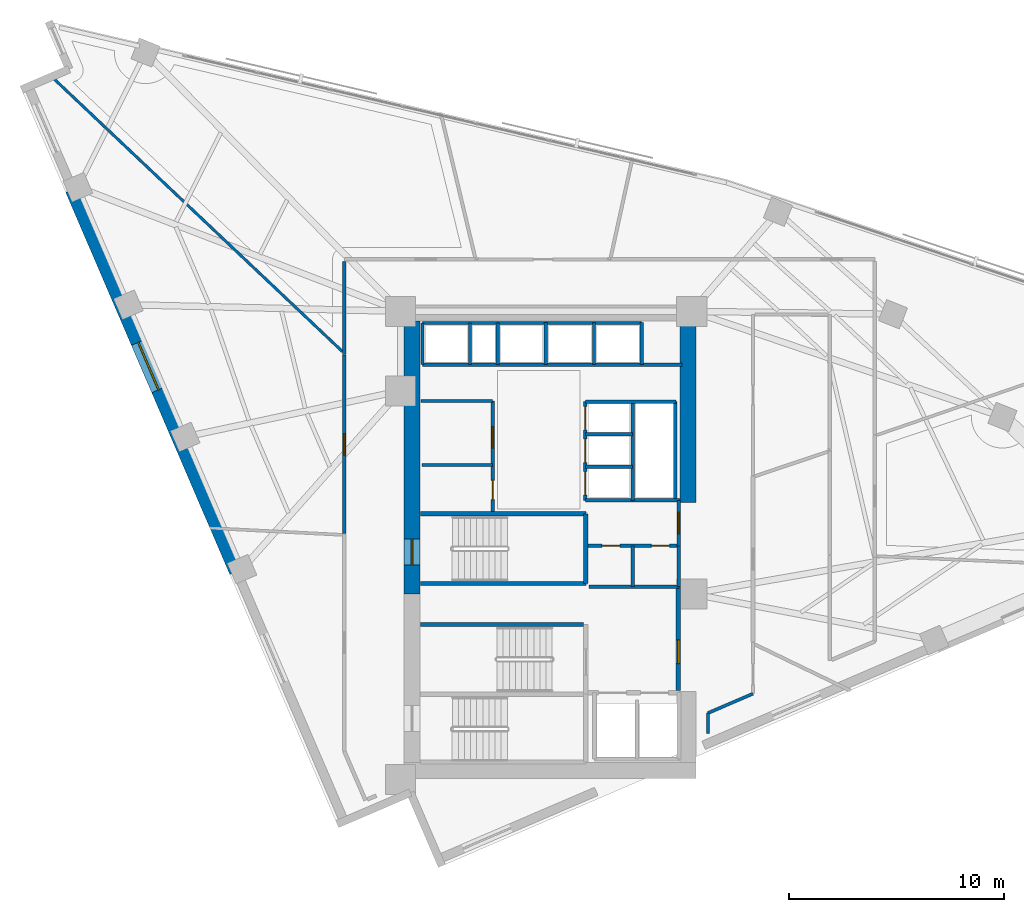
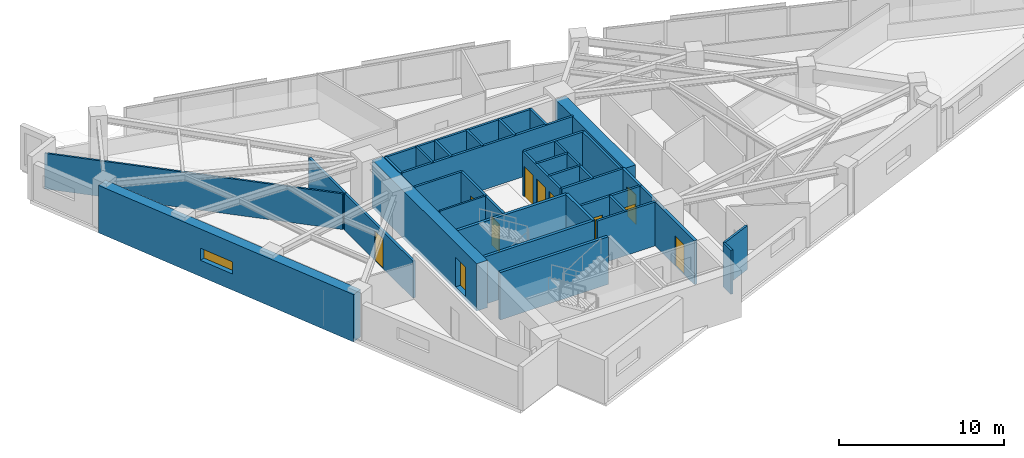
# One storey, part 9 of 15: 37 walls, 11 doors, 1 window, 12 openings.
"""IFC4 building model written with IfcOpenShell, lengths in metres."""

import ifcopenshell
import ifcopenshell.guid

model = None  # the IFC model being written
_history = None  # IfcOwnerHistory: only IFC2X3 demands one
_inside = {}  # id of a spatial element -> (the spatial element, [elements in it])
_under = {}  # id of a project, library or spatial element -> (it, [spatial elements below it])
_declared = {}  # id of a project -> (the project, [libraries it declares])
_typed = {}  # id of a type object -> (the type object, [elements of that type])
_made_of = {}  # id of a material, layer set ... -> (it, [elements and type objects made of it])


def new_model(schema):
    """Start an empty IFC model of exactly this schema.

    Asked for "IFC4X3", IfcOpenShell would pick the latest addendum, in which some entities
    have other attributes; the version numbers below select the first issue.
    IFC2X3 requires an IfcOwnerHistory on every rooted entity: one is made here for all.
    """
    global model, _history
    if schema == "IFC4X3":
        model = ifcopenshell.file(schema_version=(4, 3, 0, 0))
    else:
        model = ifcopenshell.file(schema=schema)
    _inside.clear()
    _under.clear()
    _declared.clear()
    _typed.clear()
    _made_of.clear()
    _history = None
    if model.schema == "IFC2X3":
        org = make("IfcOrganization", Name="unknown")
        user = make(
            "IfcPersonAndOrganization",
            ThePerson=make("IfcPerson", FamilyName="unknown"),
            TheOrganization=org,
        )
        app = make(
            "IfcApplication",
            ApplicationDeveloper=org,
            Version="unknown",
            ApplicationFullName="unknown",
            ApplicationIdentifier="unknown",
        )
        _history = make(
            "IfcOwnerHistory",
            OwningUser=user,
            OwningApplication=app,
            ChangeAction="ADDED",
            CreationDate=0,
        )
    return model


def make(cls, **values):
    """One entity of the class cls with the attributes given. An attribute that is None is left unset."""
    return model.create_entity(
        cls, **{name: value for name, value in values.items() if value is not None}
    )


def rooted(cls, **values):
    """An entity with a GlobalId (a new one), such as an element, a storey or a relation."""
    return make(cls, GlobalId=ifcopenshell.guid.new(), OwnerHistory=_history, **values)


def si_unit(unit_type, name, prefix=None):
    """IfcSIUnit, for example si_unit("LENGTHUNIT", "METRE", prefix="MILLI")."""
    return make("IfcSIUnit", UnitType=unit_type, Prefix=prefix, Name=name)


def assignment(units):
    """IfcUnitAssignment: the units of a project."""
    return None if units is None else make("IfcUnitAssignment", Units=units)


def point(xyz):
    """IfcCartesianPoint."""
    return None if xyz is None else make("IfcCartesianPoint", Coordinates=xyz)


def direction(xyz):
    """IfcDirection."""
    return None if xyz is None else make("IfcDirection", DirectionRatios=xyz)


def frame(location, z_axis=None, x_axis=None):
    """IfcAxis2Placement3D, a coordinate frame: its origin and axes. An axis left out is left unset."""
    return make(
        "IfcAxis2Placement3D",
        Location=point(location),
        Axis=direction(z_axis),
        RefDirection=direction(x_axis),
    )


def frame_2d(location, x_axis=None):
    """IfcAxis2Placement2D, a coordinate frame in the plane: its origin and x axis."""
    return make(
        "IfcAxis2Placement2D", Location=point(location), RefDirection=direction(x_axis)
    )


def origin():
    """The frame at (0, 0, 0) with its axes left unset."""
    return frame((0.0, 0.0, 0.0))


def place(relative_to, where):
    """IfcLocalPlacement: puts the frame where relative to a parent placement (None: the world)."""
    return make(
        "IfcLocalPlacement", PlacementRelTo=relative_to, RelativePlacement=where
    )


def context(
    kind, dimensions, precision=None, world=None, true_north=None, identifier=None
):
    """IfcGeometricRepresentationContext, for example the 3D "Model" context."""
    return make(
        "IfcGeometricRepresentationContext",
        ContextIdentifier=identifier,
        ContextType=kind,
        CoordinateSpaceDimension=dimensions,
        Precision=precision,
        WorldCoordinateSystem=world,
        TrueNorth=true_north,
    )


def subcontext(parent, identifier, kind, view, scale=None):
    """IfcGeometricRepresentationSubContext, for example "Body" below "Model"."""
    return make(
        "IfcGeometricRepresentationSubContext",
        ContextIdentifier=identifier,
        ContextType=kind,
        ParentContext=parent,
        TargetScale=scale,
        TargetView=view,
    )


def project(units=None, contexts=None):
    """IfcProject with its units and contexts."""
    return rooted(
        "IfcProject",
        Name="project",
        RepresentationContexts=contexts,
        UnitsInContext=assignment(units),
    )


def spatial(cls, under=None, at=None, **own):
    """A site, building, storey or space (cls), placed at a placement, below another one or the project."""
    s = rooted(cls, ObjectPlacement=at, **own)
    if under is not None:
        _under.setdefault(under.id(), (under, []))[1].append(s)
    return s


def profile(cls, at=None, kind="AREA", **sizes):
    """A parametric profile (cls). Its sizes go by their IFC names, for example OverallWidth=200.0."""
    return make(cls, ProfileType=kind, Position=at, **sizes)


def rectangle(**sizes):
    """IfcRectangleProfileDef."""
    return profile("IfcRectangleProfileDef", **sizes)


def extrude(swept, where, along, depth):
    """IfcExtrudedAreaSolid: the profile swept, set in the frame where, extruded along a direction by depth."""
    return make(
        "IfcExtrudedAreaSolid",
        SweptArea=swept,
        Position=where,
        ExtrudedDirection=direction(along),
        Depth=depth,
    )


def shape(context_of_items, identifier, shape_type, items):
    """IfcShapeRepresentation: the items that make up one representation, for example the "Body"."""
    return make(
        "IfcShapeRepresentation",
        ContextOfItems=context_of_items,
        RepresentationIdentifier=identifier,
        RepresentationType=shape_type,
        Items=items,
    )


def material(Name=None, Category=None):
    """IfcMaterial."""
    return make("IfcMaterial", Name=Name, Category=Category)


def layer(
    of_material, thickness, ventilated=None, Name=None, Category=None, Priority=None
):
    """IfcMaterialLayer: one layer of a wall or slab, of a material (None: an air gap)."""
    return make(
        "IfcMaterialLayer",
        Material=of_material,
        LayerThickness=thickness,
        IsVentilated=ventilated,
        Name=Name,
        Category=Category,
        Priority=Priority,
    )


def layer_set(layers, Name=None):
    """IfcMaterialLayerSet."""
    return make("IfcMaterialLayerSet", MaterialLayers=layers, LayerSetName=Name)


def made_of(thing, what):
    """Note that an element or type object is made of a material, layer set ...; save() writes the relation."""
    if what is not None:
        _made_of.setdefault(what.id(), (what, []))[1].append(thing)
    return thing


def type_object(cls, material=None, **own):
    """A type object (cls), such as IfcWallType, which elements share."""
    return made_of(rooted(cls, **own), material)


def element(
    cls,
    number,
    at=None,
    inside=None,
    cuts=None,
    type_object=None,
    material=None,
    context=None,
    identifier="Body",
    shape_type=None,
    held_by="IfcProductDefinitionShape",
    body=None,
    shapes=None,
    **own,
):
    """One element of the class cls, such as IfcWall. Its Tag is "e" and its number.

    at: its placement. inside: the storey or other place that contains it. cuts: it is an
    opening in that element (IfcRelVoidsElement). A single representation is given by context,
    identifier, shape_type and body (its items); several are given by shapes. held_by: the class
    of the entity that holds the representations. save() writes the other relations.
    """
    e = rooted(cls, Tag="e%d" % number, ObjectPlacement=at, **own)
    if body is not None:
        shapes = [shape(context, identifier, shape_type, body)]
    if shapes is not None:
        e.Representation = make(held_by, Representations=shapes)
    if inside is not None:
        _inside.setdefault(inside.id(), (inside, []))[1].append(e)
    if cuts is not None:
        rooted(
            "IfcRelVoidsElement", RelatingBuildingElement=cuts, RelatedOpeningElement=e
        )
    if type_object is not None:
        _typed.setdefault(type_object.id(), (type_object, []))[1].append(e)
    return made_of(e, material)


def fill(opening, filler):
    """IfcRelFillsElement: the door or window that sits in an opening."""
    return rooted(
        "IfcRelFillsElement",
        RelatingOpeningElement=opening,
        RelatedBuildingElement=filler,
    )


def aggregate(whole, parts):
    """IfcRelAggregates: a whole, such as a stair, and the parts it consists of."""
    return rooted("IfcRelAggregates", RelatingObject=whole, RelatedObjects=parts)


def save(model, path):
    """Write the relations noted so far, then the file.

    IfcRelAggregates (storeys below a building ...), IfcRelContainedInSpatialStructure (elements
    in a storey), IfcRelDefinesByType, IfcRelAssociatesMaterial and IfcRelDeclares: one each for
    every whole, place, type object, material and project.
    """
    for whole, parts in _under.values():
        aggregate(whole, parts)
    for where, things in _inside.values():
        rooted(
            "IfcRelContainedInSpatialStructure",
            RelatedElements=things,
            RelatingStructure=where,
        )
    for kind, things in _typed.values():
        rooted("IfcRelDefinesByType", RelatedObjects=things, RelatingType=kind)
    for what, things in _made_of.values():
        rooted("IfcRelAssociatesMaterial", RelatedObjects=things, RelatingMaterial=what)
    for by, libraries in _declared.values():
        rooted("IfcRelDeclares", RelatingContext=by, RelatedDefinitions=libraries)
    model.write(path)


model = new_model("IFC4")

# Units and contexts
model_context = context("Model", 3, precision=1e-05, world=origin(), true_north=direction((0.0, 1.0)))
body_context = subcontext(model_context, "Body", "Model", "MODEL_VIEW")
ifc_project = project(units=[si_unit("LENGTHUNIT", "METRE"), si_unit("AREAUNIT", "SQUARE_METRE"), si_unit("VOLUMEUNIT", "CUBIC_METRE"), si_unit("PLANEANGLEUNIT", "RADIAN"), si_unit("MASSUNIT", "GRAM", prefix="KILO")], contexts=[model_context])

# Site, building, storey
site_placement = place(None, origin())
site = spatial("IfcSite", under=ifc_project, at=site_placement, CompositionType="ELEMENT")
building_placement = place(site_placement, origin())
building = spatial("IfcBuilding", under=site, at=building_placement, Name="Narakoshi Arena Tower", CompositionType="ELEMENT")
storey_placement = place(building_placement, frame((0.0, 0.0, 186.139892578125)))
storey = spatial("IfcBuildingStorey", under=building, at=storey_placement, Name="L50", CompositionType="ELEMENT", Elevation=186.139892578125)

# Wall, opening, door
ifc_material_1 = material(Name="Concrete C50/60", Category="concrete")
ifc_layer_1 = layer(ifc_material_1, 0.75)
ifc_layer_set_1 = layer_set([ifc_layer_1], Name="Concrete C50/60")
wall_type_1 = type_object("IfcWallType", Name="WL-CORE-750", PredefinedType="SHEAR", material=ifc_layer_set_1)
wall_1_placement = place(storey_placement, frame((72.52490234375, 43.35009765625, -0.260009765625), z_axis=(0.0, 0.0, 1.0), x_axis=(0.0, 1.0, 0.0)))
wall_1 = element("IfcWall", 1, at=wall_1_placement, inside=storey, type_object=wall_type_1, Name="L50 Main Core Shear Wall CW-MN-W", PredefinedType="SHEAR", context=body_context, shape_type="SweptSolid", body=[
    extrude(rectangle(XDim=12.699951171875, YDim=0.75, at=frame_2d((6.35009765625, 0.0))), origin(), (0.0, 0.0, 1.0), 3.52001953125),
])
opening_1_placement = place(wall_1_placement, frame((1.35009765625, 0.0, 0.260009765625)))
opening_1 = element("IfcOpeningElement", 2, at=opening_1_placement, cuts=wall_1, Name="Opening D-03", PredefinedType="OPENING", context=body_context, shape_type="SweptSolid", body=[
    extrude(rectangle(XDim=1.199951171875, YDim=2.199951171875, at=frame_2d((0.60009765625, 1.10009765625))), frame((0.0, 0.385009765625, 0.0), z_axis=(0.0, -1.0, 0.0), x_axis=(1.0, 0.0, 0.0)), (0.0, 0.0, 1.0), 0.77001953125),
])
ifc_material_2 = material(Name="Painted galvanized steel", Category="steel")
door_type_1 = type_object("IfcDoorType", Name="DR-STR-1200", OperationType="NOTDEFINED", PredefinedType="USERDEFINED", material=ifc_material_2)
door_1_placement = place(opening_1_placement, frame((1.199951171875, 0.0, 0.0), z_axis=(0.0, 0.0, 1.0), x_axis=(-1.0, 0.0, 0.0)))
door_1 = element("IfcDoor", 3, at=door_1_placement, inside=storey, type_object=door_type_1, Name="DR-L50-006", ObjectType="EXITDOOR", OperationType="SINGLE_SWING_LEFT", OverallHeight=2.199951171875, OverallWidth=1.199951171875, PredefinedType="USERDEFINED", context=body_context, shape_type="SweptSolid", body=[
    extrude(rectangle(XDim=1.199951171875, YDim=2.199951171875, at=frame_2d((0.60009765625, 1.10009765625))), frame((0.0, 0.02490234375, 0.0), z_axis=(0.0, -1.0, 0.0), x_axis=(1.0, 0.0, 0.0)), (0.0, 0.0, 1.0), 0.050048828125),
])
fill(opening_1, door_1)

# Wall
wall_2_placement = place(storey_placement, frame((85.375, 47.60009765625, -0.260009765625), z_axis=(0.0, 0.0, 1.0), x_axis=(0.0, 1.0, 0.0)))
element("IfcWall", 4, at=wall_2_placement, inside=storey, type_object=wall_type_1, Name="L50 Main Core Shear Wall CW-MN-E", PredefinedType="SHEAR", context=body_context, shape_type="SweptSolid", body=[
    extrude(rectangle(XDim=8.449951171875, YDim=0.75, at=frame_2d((4.22509765625, 0.0))), origin(), (0.0, 0.0, 1.0), 3.52001953125),
])

# Wall, opening, door
ifc_material_3 = material(Name="Gypsum plasterboard fire-rated partition")
ifc_layer_2 = layer(ifc_material_3, 0.1650390625)
ifc_layer_set_2 = layer_set([ifc_layer_2], Name="Gypsum plasterboard fire-rated partition")
wall_type_2 = type_object("IfcWallType", Name="WL-CORR-165", PredefinedType="PARTITIONING", material=ifc_layer_set_2)
wall_3_placement = place(storey_placement, frame((84.949951171875, 45.580078125, 0.0), z_axis=(0.0, 0.0, 1.0), x_axis=(0.0, 1.0, 0.0)))
wall_3 = element("IfcWall", 5, at=wall_3_placement, inside=storey, type_object=wall_type_2, Name="L50 Core Wall CPAS-E", PredefinedType="PARTITIONING", context=body_context, shape_type="SweptSolid", body=[
    extrude(rectangle(XDim=2.119873046875, YDim=0.1650390625, at=frame_2d((1.06005859375, 0.0))), origin(), (0.0, 0.0, 1.0), 3.260009765625),
])
opening_2_placement = place(wall_3_placement, frame((0.56005859375, 0.0, 0.0)))
opening_2 = element("IfcOpeningElement", 6, at=opening_2_placement, cuts=wall_3, Name="Opening D-06", PredefinedType="OPENING", context=body_context, shape_type="SweptSolid", body=[
    extrude(rectangle(XDim=1.0, YDim=2.199951171875, at=frame_2d((0.5, 1.10009765625))), frame((0.0, 0.092529296875, 0.0), z_axis=(0.0, -1.0, 0.0), x_axis=(1.0, 0.0, 0.0)), (0.0, 0.0, 1.0), 0.18505859375),
])
ifc_material_4 = material(Name="Stained oak solid-core timber", Category="wood")
door_type_2 = type_object("IfcDoorType", Name="DR-OFF-1000", OperationType="NOTDEFINED", PredefinedType="DOOR", material=ifc_material_4)
door_2_placement = place(opening_2_placement, frame((1.0, 0.0, 0.0), z_axis=(0.0, 0.0, 1.0), x_axis=(-1.0, 0.0, 0.0)))
door_2 = element("IfcDoor", 7, at=door_2_placement, inside=storey, type_object=door_type_2, Name="DR-L50-007", OperationType="SINGLE_SWING_LEFT", OverallHeight=2.199951171875, OverallWidth=1.0, PredefinedType="DOOR", context=body_context, shape_type="SweptSolid", body=[
    extrude(rectangle(XDim=1.0, YDim=2.199951171875, at=frame_2d((0.5, 1.10009765625))), frame((0.0, 0.02490234375, 0.0), z_axis=(0.0, -1.0, 0.0), x_axis=(1.0, 0.0, 0.0)), (0.0, 0.0, 1.0), 0.050048828125),
])
fill(opening_2, door_2)

# Wall
wall_4_placement = place(storey_placement, frame((69.376220703125, 58.824462890625, 0.0), z_axis=(0.0, 0.0, 1.0), x_axis=(0.0, -1.0, 0.0)))
element("IfcWall", 8, at=wall_4_placement, inside=storey, type_object=wall_type_2, Name="L50 Corridor Partition 07-2", PredefinedType="PARTITIONING", context=body_context, shape_type="SweptSolid", body=[
    extrude(rectangle(XDim=4.32958984375, YDim=0.1650390625, at=frame_2d((2.164794921875, 0.0))), origin(), (0.0, 0.0, 1.0), 2.7451171875),
])

# Wall, opening, door
wall_5_placement = place(storey_placement, frame((69.376220703125, 54.4619140625, 0.0), z_axis=(0.0, 0.0, 1.0), x_axis=(0.0, -1.0, 0.0)))
wall_5 = element("IfcWall", 9, at=wall_5_placement, inside=storey, type_object=wall_type_2, Name="L50 Corridor Partition 09-1", PredefinedType="PARTITIONING", context=body_context, shape_type="SweptSolid", body=[
    extrude(rectangle(XDim=8.3125, YDim=0.1650390625, at=frame_2d((4.15625, 0.0))), origin(), (0.0, 0.0, 1.0), 2.7451171875),
])
opening_3_placement = place(wall_5_placement, frame((3.656005859375, 0.0, 0.0)))
opening_3 = element("IfcOpeningElement", 10, at=opening_3_placement, cuts=wall_5, Name="Opening D-06", PredefinedType="OPENING", context=body_context, shape_type="SweptSolid", body=[
    extrude(rectangle(XDim=1.0, YDim=2.199951171875, at=frame_2d((0.5, 1.10009765625))), frame((0.0, 0.092529296875, 0.0), z_axis=(0.0, -1.0, 0.0), x_axis=(1.0, 0.0, 0.0)), (0.0, 0.0, 1.0), 0.18505859375),
])
door_3_placement = place(opening_3_placement, frame((1.0, 0.0, 0.0), z_axis=(0.0, 0.0, 1.0), x_axis=(-1.0, 0.0, 0.0)))
door_3 = element("IfcDoor", 11, at=door_3_placement, inside=storey, type_object=door_type_2, Name="DR-L50-023", OperationType="SINGLE_SWING_RIGHT", OverallHeight=2.199951171875, OverallWidth=1.0, PredefinedType="DOOR", context=body_context, shape_type="SweptSolid", body=[
    extrude(rectangle(XDim=1.0, YDim=2.199951171875, at=frame_2d((0.5, 1.10009765625))), frame((0.0, 0.02490234375, 0.0), z_axis=(0.0, -1.0, 0.0), x_axis=(1.0, 0.0, 0.0)), (0.0, 0.0, 1.0), 0.050048828125),
])
fill(opening_3, door_3)

# Wall, opening, window
ifc_material_5 = material(Name="Concrete C60/75", Category="concrete")
ifc_layer_3 = layer(ifc_material_5, 0.699951171875)
ifc_layer_set_3 = layer_set([ifc_layer_3], Name="Concrete C60/75")
wall_type_3 = type_object("IfcWallType", Name="WL-LEG-700", PredefinedType="SHEAR", material=ifc_layer_set_3)
wall_6_placement = place(storey_placement, frame((56.7275390625, 62.171875, -0.260009765625), z_axis=(0.0, 0.0, 1.0), x_axis=(0.394736752992, -0.918794261974, 0.0)))
wall_6 = element("IfcWall", 12, at=wall_6_placement, inside=storey, type_object=wall_type_3, Name="L50 Architectural Concrete Structural Wall LEGB-2", PredefinedType="SHEAR", context=body_context, shape_type="SweptSolid", body=[
    extrude(rectangle(XDim=19.3525390625, YDim=0.699951171875, at=frame_2d((9.67626953125, 0.0))), origin(), (0.0, 0.0, 1.0), 3.52001953125),
])
opening_4_placement = place(wall_6_placement, frame((7.747314453125, 0.0, 1.199951171875)))
opening_4 = element("IfcOpeningElement", 13, at=opening_4_placement, cuts=wall_6, Name="Opening WN-01", PredefinedType="OPENING", context=body_context, shape_type="SweptSolid", body=[
    extrude(rectangle(XDim=2.39990234375, YDim=0.89990234375, at=frame_2d((1.199951171875, 0.449951171875))), frame((0.0, 0.35986328125, 0.0), z_axis=(0.0, -1.0, 0.0), x_axis=(1.0, 0.0, 0.0)), (0.0, 0.0, 1.0), 0.719970703125),
])
ifc_material_6 = material(Name="Bronze-tinted low-E laminated glass", Category="glass")
window_type = type_object("IfcWindowType", Name="WIN-SLT-24x09", PartitioningType="SINGLE_PANEL", PredefinedType="WINDOW", material=ifc_material_6)
window_placement = place(opening_4_placement, origin())
window = element("IfcWindow", 14, at=window_placement, inside=storey, type_object=window_type, Name="L50 LEGB2 Horizontal Slot Window 1", OverallHeight=0.89990234375, OverallWidth=2.39990234375, PartitioningType="SINGLE_PANEL", PredefinedType="WINDOW", context=body_context, shape_type="SweptSolid", body=[
    extrude(rectangle(XDim=2.39990234375, YDim=0.89990234375, at=frame_2d((1.199951171875, 0.449951171875))), frame((0.0, 0.030029296875, 0.0), z_axis=(0.0, -1.0, 0.0), x_axis=(1.0, 0.0, 0.0)), (0.0, 0.0, 1.0), 0.06005859375),
])
fill(opening_4, window)

# Walls
ifc_layer_4 = layer(ifc_material_3, 0.125)
ifc_layer_set_4 = layer_set([ifc_layer_4], Name="Gypsum plasterboard fire-rated partition")
wall_type_4 = type_object("IfcWallType", Name="WL-PART-125", PredefinedType="PARTITIONING", material=ifc_layer_set_4)
wall_7_placement = place(storey_placement, frame((73.0, 49.35009765625, 0.0), z_axis=(0.0, 0.0, 1.0), x_axis=(1.0, 0.0, 0.0)))
element("IfcWall", 15, at=wall_7_placement, inside=storey, type_object=wall_type_4, Name="L50 Core Wall RCL-LR-D1", PredefinedType="PARTITIONING", context=body_context, shape_type="SweptSolid", body=[
    extrude(rectangle(XDim=3.280029296875, YDim=0.125, at=frame_2d((1.64013671875, 0.0))), origin(), (0.0, 0.0, 1.0), 3.260009765625),
])
wall_8_placement = place(storey_placement, frame((69.28173828125, 54.633544921875, 0.0), z_axis=(0.0, 0.0, 1.0), x_axis=(-0.726693785238, 0.686961529125, 0.0)))
element("IfcWall", 16, at=wall_8_placement, inside=storey, type_object=wall_type_4, Name="L50 Inter-Room Partition 07-09", PredefinedType="PARTITIONING", context=body_context, shape_type="SweptSolid", body=[
    extrude(rectangle(XDim=18.6181640625, YDim=0.125, at=frame_2d((9.30908203125, 0.0))), origin(), (0.0, 0.0, 1.0), 2.64501953125),
])
ifc_material_7 = material(Name="Concrete C40/50", Category="concrete")
ifc_layer_5 = layer(ifc_material_7, 0.280029296875)
ifc_layer_set_5 = layer_set([ifc_layer_5], Name="Concrete C40/50")
wall_type_5 = type_object("IfcWallType", Name="WL-RISER-280", PredefinedType="PLUMBINGWALL", material=ifc_layer_set_5)
wall_9_placement = place(storey_placement, frame((84.949951171875, 43.679931640625, 0.0), z_axis=(0.0, 0.0, 1.0), x_axis=(0.0, 1.0, 0.0)))
element("IfcWall", 17, at=wall_9_placement, inside=storey, type_object=wall_type_5, Name="L50 Core Wall RSR-E", PredefinedType="PLUMBINGWALL", context=body_context, shape_type="SweptSolid", body=[
    extrude(rectangle(XDim=1.900146484375, YDim=0.1650390625, at=frame_2d((0.9501953125, 0.0))), origin(), (0.0, 0.0, 1.0), 3.260009765625),
])

# Wall, openings, doors
wall_10_placement = place(storey_placement, frame((80.719970703125, 45.580078125, 0.0), z_axis=(0.0, 0.0, 1.0), x_axis=(1.0, 0.0, 0.0)))
wall_10 = element("IfcWall", 18, at=wall_10_placement, inside=storey, type_object=wall_type_5, Name="L50 Core Wall RSR-N", PredefinedType="PLUMBINGWALL", context=body_context, shape_type="SweptSolid", body=[
    extrude(rectangle(XDim=4.22998046875, YDim=0.159912109375, at=frame_2d((2.114990234375, 0.0))), origin(), (0.0, 0.0, 1.0), 3.260009765625),
])
opening_5_placement = place(wall_10_placement, frame((0.64990234375, 0.0, 0.0)))
opening_5 = element("IfcOpeningElement", 19, at=opening_5_placement, cuts=wall_10, Name="Opening D-10", PredefinedType="OPENING", context=body_context, shape_type="SweptSolid", body=[
    extrude(rectangle(XDim=0.85009765625, YDim=2.050048828125, at=frame_2d((0.425048828125, 1.02490234375))), frame((0.0, 0.08984375, 0.0), z_axis=(0.0, -1.0, 0.0), x_axis=(1.0, 0.0, 0.0)), (0.0, 0.0, 1.0), 0.179931640625),
])
opening_6_placement = place(wall_10_placement, frame((2.949951171875, 0.0, 0.0)))
opening_6 = element("IfcOpeningElement", 20, at=opening_6_placement, cuts=wall_10, Name="Opening D-10", PredefinedType="OPENING", context=body_context, shape_type="SweptSolid", body=[
    extrude(rectangle(XDim=0.85009765625, YDim=2.050048828125, at=frame_2d((0.425048828125, 1.02490234375))), frame((0.0, 0.08984375, 0.0), z_axis=(0.0, -1.0, 0.0), x_axis=(1.0, 0.0, 0.0)), (0.0, 0.0, 1.0), 0.179931640625),
])
door_type_3 = type_object("IfcDoorType", Name="DR-RSR-850", OperationType="NOTDEFINED", PredefinedType="DOOR", material=ifc_material_2)
door_4_placement = place(opening_5_placement, frame((0.85009765625, 0.0, 0.0), z_axis=(0.0, 0.0, 1.0), x_axis=(-1.0, 0.0, 0.0)))
door_4 = element("IfcDoor", 21, at=door_4_placement, inside=storey, type_object=door_type_3, Name="DR-L50-008", OperationType="SINGLE_SWING_LEFT", OverallHeight=2.050048828125, OverallWidth=0.85009765625, PredefinedType="DOOR", context=body_context, shape_type="SweptSolid", body=[
    extrude(rectangle(XDim=0.85009765625, YDim=2.050048828125, at=frame_2d((0.425048828125, 1.02490234375))), frame((0.0, 0.02490234375, 0.0), z_axis=(0.0, -1.0, 0.0), x_axis=(1.0, 0.0, 0.0)), (0.0, 0.0, 1.0), 0.050048828125),
])
fill(opening_5, door_4)
door_5_placement = place(opening_6_placement, frame((0.85009765625, 0.0, 0.0), z_axis=(0.0, 0.0, 1.0), x_axis=(-1.0, 0.0, 0.0)))
door_5 = element("IfcDoor", 22, at=door_5_placement, inside=storey, type_object=door_type_3, Name="DR-L50-009", OperationType="SINGLE_SWING_RIGHT", OverallHeight=2.050048828125, OverallWidth=0.85009765625, PredefinedType="DOOR", context=body_context, shape_type="SweptSolid", body=[
    extrude(rectangle(XDim=0.85009765625, YDim=2.050048828125, at=frame_2d((0.425048828125, 1.02490234375))), frame((0.0, 0.02490234375, 0.0), z_axis=(0.0, -1.0, 0.0), x_axis=(1.0, 0.0, 0.0)), (0.0, 0.0, 1.0), 0.050048828125),
])
fill(opening_6, door_5)

# Walls
wall_11_placement = place(storey_placement, frame((80.760009765625, 43.679931640625, 0.0), z_axis=(0.0, 0.0, 1.0), x_axis=(1.0, 0.0, 0.0)))
element("IfcWall", 23, at=wall_11_placement, inside=storey, type_object=wall_type_5, Name="L50 Core Wall RSR-S", PredefinedType="PLUMBINGWALL", context=body_context, shape_type="SweptSolid", body=[
    extrude(rectangle(XDim=4.18994140625, YDim=0.159912109375, at=frame_2d((2.094970703125, 0.0))), origin(), (0.0, 0.0, 1.0), 3.260009765625),
])
wall_12_placement = place(storey_placement, frame((82.800048828125, 43.679931640625, 0.0), z_axis=(0.0, 0.0, 1.0), x_axis=(0.0, 1.0, 0.0)))
element("IfcWall", 24, at=wall_12_placement, inside=storey, type_object=wall_type_5, Name="L50 Core Wall RSR-M", PredefinedType="PLUMBINGWALL", context=body_context, shape_type="SweptSolid", body=[
    extrude(rectangle(XDim=1.900146484375, YDim=0.159912109375, at=frame_2d((0.9501953125, 0.0))), origin(), (0.0, 0.0, 1.0), 3.260009765625),
])
for number, where, z_axis, x_axis, name in (
    (25, (80.60009765625, 49.260009765625, 0.0), (0.0, 0.0, 1.0), (1.0, 0.0, 0.0), "L50 Core Wall MR-D1"),
    (26, (80.60009765625, 50.780029296875, 0.0), (0.0, 0.0, 1.0), (1.0, 0.0, 0.0), "L50 Core Wall MR-D2"),
):
    element("IfcWall", number, at=place(storey_placement, frame(where, z_axis=z_axis, x_axis=x_axis)), inside=storey, type_object=wall_type_5, Name=name, PredefinedType="PLUMBINGWALL", context=body_context, shape_type="SweptSolid", body=[
        extrude(rectangle(XDim=2.199951171875, YDim=0.14990234375, at=frame_2d((1.10009765625, 0.0))), origin(), (0.0, 0.0, 1.0), 3.260009765625),
    ])
wall_13_placement = place(storey_placement, frame((82.800048828125, 47.699951171875, 0.0), z_axis=(0.0, 0.0, 1.0), x_axis=(0.0, 1.0, 0.0)))
element("IfcWall", 27, at=wall_13_placement, inside=storey, type_object=wall_type_5, Name="L50 Core Wall MR-E", PredefinedType="PLUMBINGWALL", context=body_context, shape_type="SweptSolid", body=[
    extrude(rectangle(XDim=4.60009765625, YDim=0.14990234375, at=frame_2d((2.300048828125, 0.0))), origin(), (0.0, 0.0, 1.0), 3.260009765625),
])
for number, where, z_axis, x_axis, name in (
    (28, (73.02001953125, 54.02001953125, 0.0), (0.0, 0.0, 1.0), (0.0, 1.0, 0.0), "L50 Core Wall OBS-W"),
    (29, (75.219970703125, 54.02001953125, 0.0), (0.0, 0.0, 1.0), (0.0, 1.0, 0.0), "L50 Core Wall OBS-M"),
):
    element("IfcWall", number, at=place(storey_placement, frame(where, z_axis=z_axis, x_axis=x_axis)), inside=storey, type_object=wall_type_5, Name=name, PredefinedType="PLUMBINGWALL", context=body_context, shape_type="SweptSolid", body=[
        extrude(rectangle(XDim=1.93994140625, YDim=0.14990234375, at=frame_2d((0.969970703125, 0.0))), origin(), (0.0, 0.0, 1.0), 3.260009765625),
    ])
for number, where, z_axis, x_axis, name in (
    (30, (78.75, 54.02001953125, 0.0), (0.0, 0.0, 1.0), (0.0, 1.0, 0.0), "L50 Core Wall HR-D1"),
    (31, (81.0, 54.02001953125, 0.0), (0.0, 0.0, 1.0), (0.0, 1.0, 0.0), "L50 Core Wall HR-D2"),
):
    element("IfcWall", number, at=place(storey_placement, frame(where, z_axis=z_axis, x_axis=x_axis)), inside=storey, type_object=wall_type_5, Name=name, PredefinedType="PLUMBINGWALL", context=body_context, shape_type="SweptSolid", body=[
        extrude(rectangle(XDim=1.9599609375, YDim=0.14990234375, at=frame_2d((0.97998046875, 0.0))), origin(), (0.0, 0.0, 1.0), 3.260009765625),
    ])

# Wall, opening, door
ifc_layer_6 = layer(ifc_material_1, 0.35009765625)
ifc_layer_set_6 = layer_set([ifc_layer_6], Name="Concrete C50/60")
wall_type_6 = type_object("IfcWallType", Name="WL-SHAFT-350", PredefinedType="SOLIDWALL", material=ifc_layer_set_6)
wall_14_placement = place(storey_placement, frame((84.919921875, 38.85009765625, 0.0), z_axis=(0.0, 0.0, 1.0), x_axis=(0.0, 1.0, 0.0)))
wall_14 = element("IfcWall", 32, at=wall_14_placement, inside=storey, type_object=wall_type_6, Name="L50 Core Wall FFLOB-E", PredefinedType="SOLIDWALL", context=body_context, shape_type="SweptSolid", body=[
    extrude(rectangle(XDim=4.829833984375, YDim=0.199951171875, at=frame_2d((2.4150390625, 0.0))), origin(), (0.0, 0.0, 1.0), 3.260009765625),
])
opening_7_placement = place(wall_14_placement, frame((1.25, 0.0, 0.0)))
opening_7 = element("IfcOpeningElement", 33, at=opening_7_placement, cuts=wall_14, Name="Opening D-04", PredefinedType="OPENING", context=body_context, shape_type="SweptSolid", body=[
    extrude(rectangle(XDim=1.10009765625, YDim=2.199951171875, at=frame_2d((0.550048828125, 1.10009765625))), frame((0.0, 0.10986328125, 0.0), z_axis=(0.0, -1.0, 0.0), x_axis=(1.0, 0.0, 0.0)), (0.0, 0.0, 1.0), 0.219970703125),
])
door_type_4 = type_object("IfcDoorType", Name="DR-FFL-1100", OperationType="NOTDEFINED", PredefinedType="DOOR", material=ifc_material_2)
door_6_placement = place(opening_7_placement, frame((1.10009765625, 0.0, 0.0), z_axis=(0.0, 0.0, 1.0), x_axis=(-1.0, 0.0, 0.0)))
door_6 = element("IfcDoor", 34, at=door_6_placement, inside=storey, type_object=door_type_4, Name="DR-L50-005", OperationType="SINGLE_SWING_RIGHT", OverallHeight=2.199951171875, OverallWidth=1.10009765625, PredefinedType="DOOR", context=body_context, shape_type="SweptSolid", body=[
    extrude(rectangle(XDim=1.10009765625, YDim=2.199951171875, at=frame_2d((0.550048828125, 1.10009765625))), frame((0.0, 0.02490234375, 0.0), z_axis=(0.0, -1.0, 0.0), x_axis=(1.0, 0.0, 0.0)), (0.0, 0.0, 1.0), 0.050048828125),
])
fill(opening_7, door_6)

# Walls
wall_15_placement = place(storey_placement, frame((72.919921875, 41.919921875, -0.260009765625), z_axis=(0.0, 0.0, 1.0), x_axis=(1.0, 0.0, 0.0)))
element("IfcWall", 35, at=wall_15_placement, inside=storey, type_object=wall_type_6, Name="L50 Core Wall ST2-N", PredefinedType="SOLIDWALL", context=body_context, shape_type="SweptSolid", body=[
    extrude(rectangle(XDim=7.580078125, YDim=0.199951171875, at=frame_2d((3.7900390625, 0.0))), origin(), (0.0, 0.0, 1.0), 3.52001953125),
])
for number, where, z_axis, x_axis, name in (
    (36, (72.919921875, 43.830078125, -0.260009765625), (0.0, 0.0, 1.0), (1.0, 0.0, 0.0), "L50 Core Wall ST3-S"),
    (37, (72.919921875, 47.070068359375, -0.260009765625), (0.0, 0.0, 1.0), (1.0, 0.0, 0.0), "L50 Core Wall ST3-N"),
):
    element("IfcWall", number, at=place(storey_placement, frame(where, z_axis=z_axis, x_axis=x_axis)), inside=storey, type_object=wall_type_6, Name=name, PredefinedType="SOLIDWALL", context=body_context, shape_type="SweptSolid", body=[
        extrude(rectangle(XDim=7.7001953125, YDim=0.199951171875, at=frame_2d((3.85009765625, 0.0))), origin(), (0.0, 0.0, 1.0), 3.52001953125),
    ])
wall_16_placement = place(storey_placement, frame((80.6201171875, 43.830078125, -0.260009765625), z_axis=(0.0, 0.0, 1.0), x_axis=(0.0, 1.0, 0.0)))
element("IfcWall", 38, at=wall_16_placement, inside=storey, type_object=wall_type_6, Name="L50 Core Wall ST3-E", PredefinedType="SOLIDWALL", context=body_context, shape_type="SweptSolid", body=[
    extrude(rectangle(XDim=3.239990234375, YDim=0.199951171875, at=frame_2d((1.6201171875, 0.0))), origin(), (0.0, 0.0, 1.0), 3.52001953125),
])

# Wall, openings, doors
wall_17_placement = place(storey_placement, frame((76.280029296875, 47.179931640625, 0.0), z_axis=(0.0, 0.0, 1.0), x_axis=(0.0, 1.0, 0.0)))
wall_17 = element("IfcWall", 39, at=wall_17_placement, inside=storey, type_object=wall_type_6, Name="L50 Core Wall LR-E", PredefinedType="SOLIDWALL", context=body_context, shape_type="SweptSolid", body=[
    extrude(rectangle(XDim=5.14013671875, YDim=0.159912109375, at=frame_2d((2.570068359375, 0.0))), origin(), (0.0, 0.0, 1.0), 3.260009765625),
])
opening_8_placement = place(wall_17_placement, frame((0.550048828125, 0.0, 0.0)))
opening_8 = element("IfcOpeningElement", 40, at=opening_8_placement, cuts=wall_17, Name="Opening D-08", PredefinedType="OPENING", context=body_context, shape_type="SweptSolid", body=[
    extrude(rectangle(XDim=0.89990234375, YDim=2.10009765625, at=frame_2d((0.449951171875, 1.050048828125))), frame((0.0, 0.08984375, 0.0), z_axis=(0.0, -1.0, 0.0), x_axis=(1.0, 0.0, 0.0)), (0.0, 0.0, 1.0), 0.179931640625),
])
opening_9_placement = place(wall_17_placement, frame((2.949951171875, 0.0, 0.0)))
opening_9 = element("IfcOpeningElement", 41, at=opening_9_placement, cuts=wall_17, Name="Opening D-06", PredefinedType="OPENING", context=body_context, shape_type="SweptSolid", body=[
    extrude(rectangle(XDim=1.0, YDim=2.199951171875, at=frame_2d((0.5, 1.10009765625))), frame((0.0, 0.08984375, 0.0), z_axis=(0.0, -1.0, 0.0), x_axis=(1.0, 0.0, 0.0)), (0.0, 0.0, 1.0), 0.179931640625),
])
door_7_placement = place(opening_9_placement, frame((1.0, 0.0, 0.0), z_axis=(0.0, 0.0, 1.0), x_axis=(-1.0, 0.0, 0.0)))
door_7 = element("IfcDoor", 42, at=door_7_placement, inside=storey, type_object=door_type_2, Name="DR-L50-011", OperationType="SINGLE_SWING_LEFT", OverallHeight=2.199951171875, OverallWidth=1.0, PredefinedType="DOOR", context=body_context, shape_type="SweptSolid", body=[
    extrude(rectangle(XDim=1.0, YDim=2.199951171875, at=frame_2d((0.5, 1.10009765625))), frame((0.0, 0.02490234375, 0.0), z_axis=(0.0, -1.0, 0.0), x_axis=(1.0, 0.0, 0.0)), (0.0, 0.0, 1.0), 0.050048828125),
])
fill(opening_9, door_7)
ifc_material_8 = material(Name="Moisture-resistant laminate timber", Category="wood")
door_type_5 = type_object("IfcDoorType", Name="DR-WC-900", OperationType="NOTDEFINED", PredefinedType="DOOR", material=ifc_material_8)
door_8_placement = place(opening_8_placement, frame((0.89990234375, 0.0, 0.0), z_axis=(0.0, 0.0, 1.0), x_axis=(-1.0, 0.0, 0.0)))
door_8 = element("IfcDoor", 43, at=door_8_placement, inside=storey, type_object=door_type_5, Name="DR-L50-010", OperationType="SINGLE_SWING_RIGHT", OverallHeight=2.10009765625, OverallWidth=0.89990234375, PredefinedType="DOOR", context=body_context, shape_type="SweptSolid", body=[
    extrude(rectangle(XDim=0.89990234375, YDim=2.10009765625, at=frame_2d((0.449951171875, 1.050048828125))), frame((0.0, 0.02490234375, 0.0), z_axis=(0.0, -1.0, 0.0), x_axis=(1.0, 0.0, 0.0)), (0.0, 0.0, 1.0), 0.050048828125),
])
fill(opening_8, door_8)

# Wall
wall_18_placement = place(storey_placement, frame((72.949951171875, 52.320068359375, 0.0), z_axis=(0.0, 0.0, 1.0), x_axis=(1.0, 0.0, 0.0)))
element("IfcWall", 44, at=wall_18_placement, inside=storey, type_object=wall_type_6, Name="L50 Core Wall LR-N", PredefinedType="SOLIDWALL", context=body_context, shape_type="SweptSolid", body=[
    extrude(rectangle(XDim=3.330078125, YDim=0.14990234375, at=frame_2d((1.6650390625, 0.0))), origin(), (0.0, 0.0, 1.0), 3.260009765625),
])

# Wall, openings, doors
wall_19_placement = place(storey_placement, frame((80.60009765625, 47.699951171875, 0.0), z_axis=(0.0, 0.0, 1.0), x_axis=(0.0, 1.0, 0.0)))
wall_19 = element("IfcWall", 45, at=wall_19_placement, inside=storey, type_object=wall_type_6, Name="L50 Core Wall MR-W", PredefinedType="SOLIDWALL", context=body_context, shape_type="SweptSolid", body=[
    extrude(rectangle(XDim=4.60009765625, YDim=0.159912109375, at=frame_2d((2.300048828125, 0.0))), origin(), (0.0, 0.0, 1.0), 3.260009765625),
])
opening_10_placement = place(wall_19_placement, frame((0.239990234375, 0.0, 0.0)))
opening_10 = element("IfcOpeningElement", 46, at=opening_10_placement, cuts=wall_19, Name="Opening LD-01", PredefinedType="OPENING", context=body_context, shape_type="SweptSolid", body=[
    extrude(rectangle(XDim=1.10009765625, YDim=2.25, at=frame_2d((0.550048828125, 1.125))), frame((0.0, 0.08984375, 0.0), z_axis=(0.0, -1.0, 0.0), x_axis=(1.0, 0.0, 0.0)), (0.0, 0.0, 1.0), 0.179931640625),
])
opening_11_placement = place(wall_19_placement, frame((1.760009765625, 0.0, 0.0)))
opening_11 = element("IfcOpeningElement", 47, at=opening_11_placement, cuts=wall_19, Name="Opening LD-01", PredefinedType="OPENING", context=body_context, shape_type="SweptSolid", body=[
    extrude(rectangle(XDim=1.10009765625, YDim=2.25, at=frame_2d((0.550048828125, 1.125))), frame((0.0, 0.08984375, 0.0), z_axis=(0.0, -1.0, 0.0), x_axis=(1.0, 0.0, 0.0)), (0.0, 0.0, 1.0), 0.179931640625),
])
opening_12_placement = place(wall_19_placement, frame((3.280029296875, 0.0, 0.0)))
opening_12 = element("IfcOpeningElement", 48, at=opening_12_placement, cuts=wall_19, Name="Opening LD-01", PredefinedType="OPENING", context=body_context, shape_type="SweptSolid", body=[
    extrude(rectangle(XDim=1.10009765625, YDim=2.25, at=frame_2d((0.550048828125, 1.125))), frame((0.0, 0.08984375, 0.0), z_axis=(0.0, -1.0, 0.0), x_axis=(1.0, 0.0, 0.0)), (0.0, 0.0, 1.0), 0.179931640625),
])
ifc_material_9 = material(Name="Brushed bronze stainless steel", Category="steel")
door_type_6 = type_object("IfcDoorType", Name="DR-LFT-1100", OperationType="DOUBLE_DOOR_SLIDING", PredefinedType="DOOR", material=ifc_material_9)
door_9_placement = place(opening_10_placement, frame((1.10009765625, 0.0, 0.0), z_axis=(0.0, 0.0, 1.0), x_axis=(-1.0, 0.0, 0.0)))
door_9 = element("IfcDoor", 49, at=door_9_placement, inside=storey, type_object=door_type_6, Name="DR-L50-012", OperationType="DOUBLE_DOOR_SLIDING", OverallHeight=2.25, OverallWidth=1.10009765625, PredefinedType="DOOR", context=body_context, shape_type="SweptSolid", body=[
    extrude(rectangle(XDim=1.10009765625, YDim=2.25, at=frame_2d((0.550048828125, 1.125))), frame((0.0, 0.02490234375, 0.0), z_axis=(0.0, -1.0, 0.0), x_axis=(1.0, 0.0, 0.0)), (0.0, 0.0, 1.0), 0.050048828125),
])
fill(opening_10, door_9)
door_10_placement = place(opening_11_placement, frame((1.10009765625, 0.0, 0.0), z_axis=(0.0, 0.0, 1.0), x_axis=(-1.0, 0.0, 0.0)))
door_10 = element("IfcDoor", 50, at=door_10_placement, inside=storey, type_object=door_type_6, Name="DR-L50-013", OperationType="DOUBLE_DOOR_SLIDING", OverallHeight=2.25, OverallWidth=1.10009765625, PredefinedType="DOOR", context=body_context, shape_type="SweptSolid", body=[
    extrude(rectangle(XDim=1.10009765625, YDim=2.25, at=frame_2d((0.550048828125, 1.125))), frame((0.0, 0.02490234375, 0.0), z_axis=(0.0, -1.0, 0.0), x_axis=(1.0, 0.0, 0.0)), (0.0, 0.0, 1.0), 0.050048828125),
])
fill(opening_11, door_10)
door_11_placement = place(opening_12_placement, frame((1.10009765625, 0.0, 0.0), z_axis=(0.0, 0.0, 1.0), x_axis=(-1.0, 0.0, 0.0)))
door_11 = element("IfcDoor", 51, at=door_11_placement, inside=storey, type_object=door_type_6, Name="DR-L50-014", OperationType="DOUBLE_DOOR_SLIDING", OverallHeight=2.25, OverallWidth=1.10009765625, PredefinedType="DOOR", context=body_context, shape_type="SweptSolid", body=[
    extrude(rectangle(XDim=1.10009765625, YDim=2.25, at=frame_2d((0.550048828125, 1.125))), frame((0.0, 0.02490234375, 0.0), z_axis=(0.0, -1.0, 0.0), x_axis=(1.0, 0.0, 0.0)), (0.0, 0.0, 1.0), 0.050048828125),
])
fill(opening_12, door_11)

# Walls
wall_20_placement = place(storey_placement, frame((80.60009765625, 47.699951171875, 0.0), z_axis=(0.0, 0.0, 1.0), x_axis=(1.0, 0.0, 0.0)))
element("IfcWall", 52, at=wall_20_placement, inside=storey, type_object=wall_type_6, Name="L50 Core Wall MR-S", PredefinedType="SOLIDWALL", context=body_context, shape_type="SweptSolid", body=[
    extrude(rectangle(XDim=4.39990234375, YDim=0.159912109375, at=frame_2d((2.199951171875, 0.0))), origin(), (0.0, 0.0, 1.0), 3.260009765625),
])
wall_21_placement = place(storey_placement, frame((80.60009765625, 52.300048828125, 0.0), z_axis=(0.0, 0.0, 1.0), x_axis=(1.0, 0.0, 0.0)))
element("IfcWall", 53, at=wall_21_placement, inside=storey, type_object=wall_type_6, Name="L50 Core Wall MR-N", PredefinedType="SOLIDWALL", context=body_context, shape_type="SweptSolid", body=[
    extrude(rectangle(XDim=4.219970703125, YDim=0.159912109375, at=frame_2d((2.10986328125, 0.0))), origin(), (0.0, 0.0, 1.0), 3.260009765625),
])
wall_22_placement = place(storey_placement, frame((84.780029296875, 47.699951171875, 0.0), z_axis=(0.0, 0.0, 1.0), x_axis=(0.0, 1.0, 0.0)))
element("IfcWall", 54, at=wall_22_placement, inside=storey, type_object=wall_type_6, Name="L50 Core Wall MR-E2", PredefinedType="SOLIDWALL", context=body_context, shape_type="SweptSolid", body=[
    extrude(rectangle(XDim=4.60009765625, YDim=0.159912109375, at=frame_2d((2.300048828125, 0.0))), origin(), (0.0, 0.0, 1.0), 3.260009765625),
])
wall_23_placement = place(storey_placement, frame((73.02001953125, 54.02001953125, 0.0), z_axis=(0.0, 0.0, 1.0), x_axis=(1.0, 0.0, 0.0)))
element("IfcWall", 55, at=wall_23_placement, inside=storey, type_object=wall_type_6, Name="L50 Core Wall NSHF-S", PredefinedType="SOLIDWALL", context=body_context, shape_type="SweptSolid", body=[
    extrude(rectangle(XDim=12.080078125, YDim=0.159912109375, at=frame_2d((6.0400390625, 0.0))), origin(), (0.0, 0.0, 1.0), 3.260009765625),
])
wall_24_placement = place(storey_placement, frame((73.02001953125, 55.9599609375, 0.0), z_axis=(0.0, 0.0, 1.0), x_axis=(1.0, 0.0, 0.0)))
element("IfcWall", 56, at=wall_24_placement, inside=storey, type_object=wall_type_6, Name="L50 Core Wall OBS-N", PredefinedType="SOLIDWALL", context=body_context, shape_type="SweptSolid", body=[
    extrude(rectangle(XDim=3.5, YDim=0.14990234375, at=frame_2d((1.75, 0.0))), origin(), (0.0, 0.0, 1.0), 3.260009765625),
])
wall_25_placement = place(storey_placement, frame((76.52001953125, 54.02001953125, 0.0), z_axis=(0.0, 0.0, 1.0), x_axis=(0.0, 1.0, 0.0)))
element("IfcWall", 57, at=wall_25_placement, inside=storey, type_object=wall_type_6, Name="L50 Core Wall OBS-E", PredefinedType="SOLIDWALL", context=body_context, shape_type="SweptSolid", body=[
    extrude(rectangle(XDim=1.93994140625, YDim=0.14990234375, at=frame_2d((0.969970703125, 0.0))), origin(), (0.0, 0.0, 1.0), 3.260009765625),
])
wall_26_placement = place(storey_placement, frame((83.219970703125, 54.02001953125, 0.0), z_axis=(0.0, 0.0, 1.0), x_axis=(0.0, 1.0, 0.0)))
element("IfcWall", 58, at=wall_26_placement, inside=storey, type_object=wall_type_6, Name="L50 Core Wall HR-E", PredefinedType="SOLIDWALL", context=body_context, shape_type="SweptSolid", body=[
    extrude(rectangle(XDim=1.9599609375, YDim=0.14990234375, at=frame_2d((0.97998046875, 0.0))), origin(), (0.0, 0.0, 1.0), 3.260009765625),
])
wall_27_placement = place(storey_placement, frame((76.52001953125, 55.9599609375, 0.0), z_axis=(0.0, 0.0, 1.0), x_axis=(1.0, 0.0, 0.0)))
element("IfcWall", 59, at=wall_27_placement, inside=storey, type_object=wall_type_6, Name="L50 Core Wall HR-N", PredefinedType="SOLIDWALL", context=body_context, shape_type="SweptSolid", body=[
    extrude(rectangle(XDim=6.699951171875, YDim=0.14990234375, at=frame_2d((3.35009765625, 0.0))), origin(), (0.0, 0.0, 1.0), 3.260009765625),
])
ifc_material_10 = material(Name="Moisture-resistant cement-board partition")
ifc_layer_7 = layer(ifc_material_10, 0.14501953125)
ifc_layer_set_7 = layer_set([ifc_layer_7], Name="Moisture-resistant cement-board partition")
wall_type_7 = type_object("IfcWallType", Name="WL-WET-145", PredefinedType="PARTITIONING", material=ifc_layer_set_7)
wall_28_placement = place(storey_placement, frame((86.300048828125, 37.797119140625, 0.0), z_axis=(0.0, 0.0, 1.0), x_axis=(0.918802105609, 0.39471849555, 0.0)))
element("IfcWall", 60, at=wall_28_placement, inside=storey, type_object=wall_type_7, Name="L50 Corridor Partition 02-2", PredefinedType="PARTITIONING", context=body_context, shape_type="SweptSolid", body=[
    extrude(rectangle(XDim=2.285400390625, YDim=0.14501953125, at=frame_2d((1.142578125, 0.0))), origin(), (0.0, 0.0, 1.0), 3.260009765625),
])
wall_29_placement = place(storey_placement, frame((86.300048828125, 36.85009765625, 0.0), z_axis=(0.0, 0.0, 1.0), x_axis=(0.0, 1.0, 0.0)))
element("IfcWall", 61, at=wall_29_placement, inside=storey, type_object=wall_type_7, Name="L50 Room Enclosure Partition 02-1", PredefinedType="PARTITIONING", context=body_context, shape_type="SweptSolid", body=[
    extrude(rectangle(XDim=0.947021484375, YDim=0.14501953125, at=frame_2d((0.4736328125, 0.0))), origin(), (0.0, 0.0, 1.0), 3.260009765625),
])

save(model, "model.ifc")
